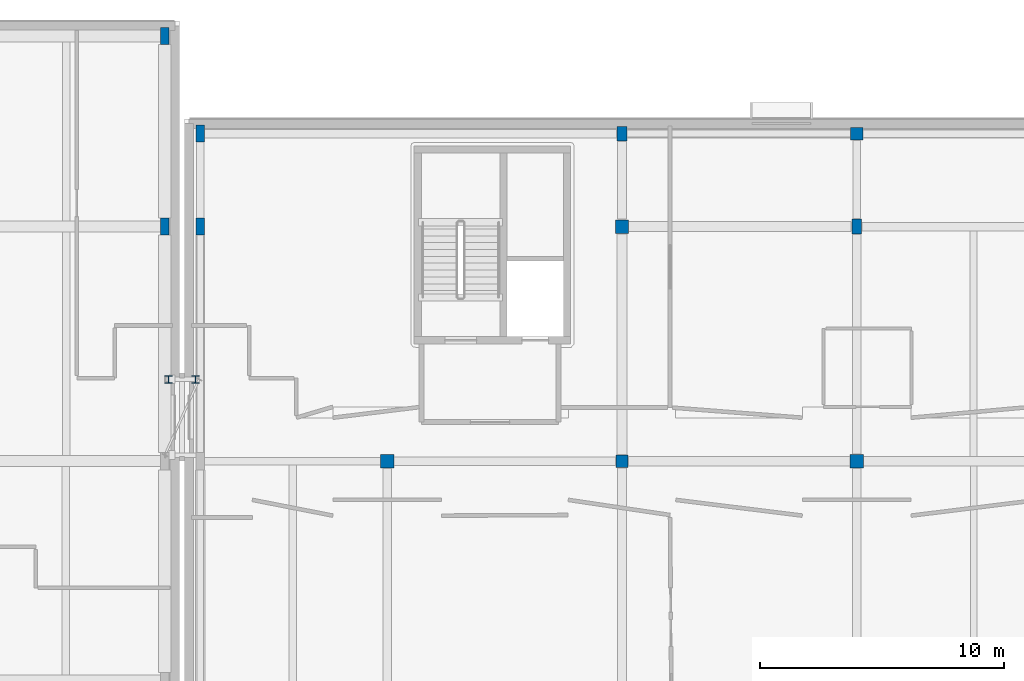
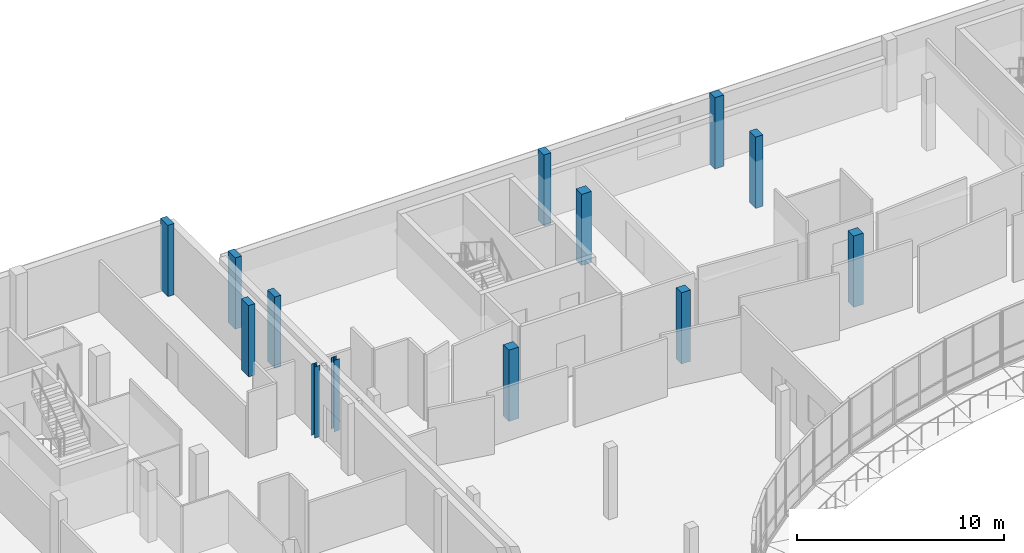
# One storey, part 7 of 84: 13 columns.
"""IFC4 building model written with IfcOpenShell, lengths in metres."""

from ifc_helpers import new_model, si_unit, direction, frame, origin, origin_2d, place, context, subcontext, project, spatial, rectangle, i_section, extrude, material, material_profile, profile_set, type_object, element, save


model = new_model("IFC4")

# Units and contexts
model_context = context("Model", 3, precision=1e-05, world=origin(), true_north=direction((0.0, 1.0)))
body_context = subcontext(model_context, "Body", "Model", "MODEL_VIEW")
ifc_project = project(units=[si_unit("LENGTHUNIT", "METRE"), si_unit("AREAUNIT", "SQUARE_METRE"), si_unit("VOLUMEUNIT", "CUBIC_METRE"), si_unit("PLANEANGLEUNIT", "RADIAN"), si_unit("MASSUNIT", "GRAM", prefix="KILO")], contexts=[model_context])

# Site, building, storey
site_placement = place(None, origin())
site = spatial("IfcSite", under=ifc_project, at=site_placement, CompositionType="ELEMENT")
building_placement = place(site_placement, origin())
building = spatial("IfcBuilding", under=site, at=building_placement, Name="Mzevani Central Library", CompositionType="ELEMENT")
storey_placement = place(building_placement, frame((0.0, 0.0, 5.39990234375)))
storey = spatial("IfcBuildingStorey", under=building, at=storey_placement, Name="L01", CompositionType="ELEMENT", Elevation=5.39990234375)

# Columns
ifc_material_1 = material(Name="Steel S355J2", Category="steel")
ifc_material_profile_1 = material_profile(ifc_material_1, i_section(OverallWidth=0.300048828125, OverallDepth=0.300048828125, WebThickness=0.010986328125, FlangeThickness=0.01904296875, FilletRadius=0.027099609375, at=origin_2d()), Name="HEB 300")
ifc_profile_set_1 = profile_set([ifc_material_profile_1], Name="Steel S355J2")
column_type_1 = type_object("IfcColumnType", Name="Atrium Steel Column HEB 300", PredefinedType="COLUMN", material=ifc_profile_set_1)
for number, where, z_axis, x_axis, name in (
    (1, (45.449951171875, 103.35009765625, 0.0), (0.0, 0.0, 1.0), (1.0, 0.0, 0.0), "L01 Seismic Joint Corbel Column 4"),
    (2, (46.550048828125, 103.35009765625, 0.0), (0.0, 0.0, 1.0), (1.0, 0.0, 0.0), "L01 Seismic Joint Corbel Column 6"),
):
    element("IfcColumn", number, at=place(storey_placement, frame(where, z_axis=z_axis, x_axis=x_axis)), inside=storey, type_object=column_type_1, Name=name, PredefinedType="COLUMN", context=body_context, shape_type="SweptSolid", body=[
        extrude(i_section(OverallWidth=0.300048828125, OverallDepth=0.300048828125, WebThickness=0.010986328125, FlangeThickness=0.01904296875, FilletRadius=0.027099609375, at=origin_2d()), origin(), (0.0, 0.0, 1.0), 4.2001953125),
    ])
ifc_material_2 = material(Name="Concrete C40/50", Category="concrete")
ifc_material_profile_2 = material_profile(ifc_material_2, rectangle(XDim=0.39990234375, YDim=0.60009765625, at=origin_2d()), Name="RC 400x600")
ifc_profile_set_2 = profile_set([ifc_material_profile_2], Name="Concrete C40/50")
column_type_2 = type_object("IfcColumnType", Name="Column RC 400x600", PredefinedType="COLUMN", material=ifc_profile_set_2)
for number, where, z_axis, x_axis, name in (
    (3, (64.0, 113.39990234375, 0.0), (0.0, 0.0, 1.0), (1.0, 0.0, 0.0), "L01 V3 Column C-11 (113)"),
    (4, (73.60009765625, 109.60009765625, 0.0), (0.0, 0.0, 1.0), (1.0, 0.0, 0.0), "L01 V3 Column C-11 (116)"),
):
    element("IfcColumn", number, at=place(storey_placement, frame(where, z_axis=z_axis, x_axis=x_axis)), inside=storey, type_object=column_type_2, Name=name, PredefinedType="COLUMN", context=body_context, shape_type="SweptSolid", body=[
        extrude(rectangle(XDim=0.39990234375, YDim=0.60009765625, at=origin_2d()), origin(), (0.0, 0.0, 1.0), 4.2001953125),
    ])
ifc_material_profile_3 = material_profile(ifc_material_2, rectangle(XDim=0.5, YDim=0.5, at=origin_2d()), Name="RC 500x500")
ifc_profile_set_3 = profile_set([ifc_material_profile_3], Name="Concrete C40/50")
column_type_3 = type_object("IfcColumnType", Name="Column RC 500x500", PredefinedType="COLUMN", material=ifc_profile_set_3)
for number, where, z_axis, x_axis, name in (
    (5, (64.0, 100.0, 0.0), (0.0, 0.0, 1.0), (1.0, 0.0, 0.0), "L01 V3 Column C-04 (111)"),
    (6, (73.60009765625, 113.39990234375, 0.0), (0.0, 0.0, 1.0), (1.0, 0.0, 0.0), "L01 V3 Column C-04 (117)"),
):
    element("IfcColumn", number, at=place(storey_placement, frame(where, z_axis=z_axis, x_axis=x_axis)), inside=storey, type_object=column_type_3, Name=name, PredefinedType="COLUMN", context=body_context, shape_type="SweptSolid", body=[
        extrude(rectangle(XDim=0.5, YDim=0.5, at=origin_2d()), origin(), (0.0, 0.0, 1.0), 4.2001953125),
    ])
ifc_material_profile_4 = material_profile(ifc_material_2, rectangle(XDim=0.550048828125, YDim=0.550048828125, at=origin_2d()), Name="RC 550x550")
ifc_profile_set_4 = profile_set([ifc_material_profile_4], Name="Concrete C40/50")
column_type_4 = type_object("IfcColumnType", Name="Column RC 550x550", PredefinedType="COLUMN", material=ifc_profile_set_4)
for number, where, z_axis, x_axis, name in (
    (7, (54.39990234375, 100.0, 0.0), (0.0, 0.0, 1.0), (1.0, 0.0, 0.0), "L01 V3 Column C-05 (109)"),
    (8, (64.0, 109.60009765625, 0.0), (0.0, 0.0, 1.0), (1.0, 0.0, 0.0), "L01 V3 Column C-05 (112)"),
    (9, (73.60009765625, 100.0, 0.0), (0.0, 0.0, 1.0), (1.0, 0.0, 0.0), "L01 V3 Column C-05 (115)"),
):
    element("IfcColumn", number, at=place(storey_placement, frame(where, z_axis=z_axis, x_axis=x_axis)), inside=storey, type_object=column_type_4, Name=name, PredefinedType="COLUMN", context=body_context, shape_type="SweptSolid", body=[
        extrude(rectangle(XDim=0.550048828125, YDim=0.550048828125, at=origin_2d()), origin(), (0.0, 0.0, 1.0), 4.2001953125),
    ])
ifc_material_profile_5 = material_profile(ifc_material_2, rectangle(XDim=0.35009765625, YDim=0.699951171875, at=origin_2d()), Name="RC 350x700")
ifc_profile_set_5 = profile_set([ifc_material_profile_5], Name="Concrete C40/50")
column_type_5 = type_object("IfcColumnType", Name="Joint Twin Column RC 350x700", PredefinedType="COLUMN", material=ifc_profile_set_5)
for number, where, z_axis, x_axis, name in (
    (10, (45.300048828125, 109.60009765625, 0.0), (0.0, 0.0, 1.0), (1.0, 0.0, 0.0), "L01 V2 Column C-18 (98)"),
    (11, (45.300048828125, 117.39990234375, 0.0), (0.0, 0.0, 1.0), (1.0, 0.0, 0.0), "L01 V2 Column C-18 (99)"),
    (12, (46.75, 109.60009765625, 0.0), (0.0, 0.0, 1.0), (1.0, 0.0, 0.0), "L01 V3 Column C-18 (104)"),
    (13, (46.75, 113.39990234375, 0.0), (0.0, 0.0, 1.0), (1.0, 0.0, 0.0), "L01 V3 Column C-18 (105)"),
):
    element("IfcColumn", number, at=place(storey_placement, frame(where, z_axis=z_axis, x_axis=x_axis)), inside=storey, type_object=column_type_5, Name=name, PredefinedType="COLUMN", context=body_context, shape_type="SweptSolid", body=[
        extrude(rectangle(XDim=0.35009765625, YDim=0.699951171875, at=origin_2d()), origin(), (0.0, 0.0, 1.0), 4.2001953125),
    ])

save(model, "model.ifc")
